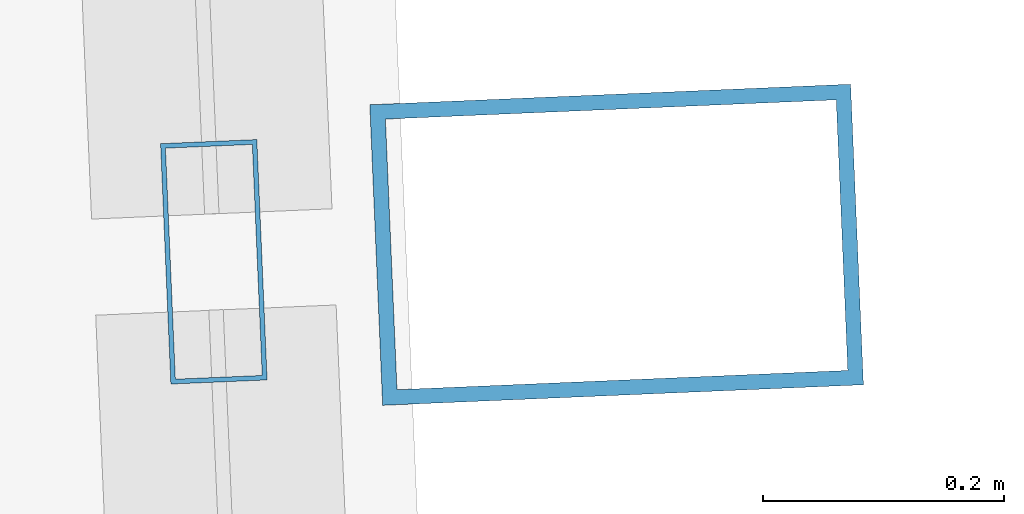
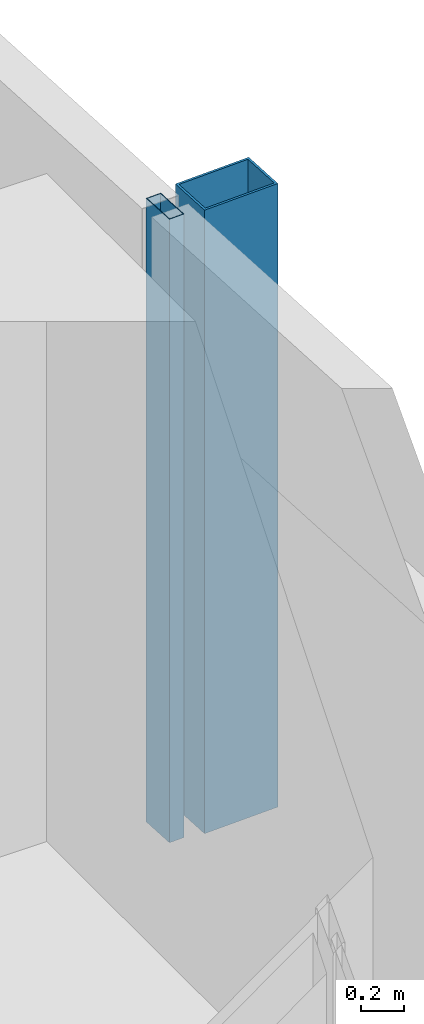
# One storey, part 29 of 45: 2 members, 1 element without a shape of its own.
"""IFC4 building model written with IfcOpenShell, lengths in metres."""

from ifc_helpers import new_model, si_unit, direction, frame, origin, origin_2d, place, context, subcontext, project, spatial, hollow_rectangle, extrude, material, material_profile, profile_set, type_object, element, aggregate, save


model = new_model("IFC4")

# Units and contexts
model_context = context("Model", 3, precision=1e-05, world=origin(), true_north=direction((0.0, 1.0)))
body_context = subcontext(model_context, "Body", "Model", "MODEL_VIEW")
ifc_project = project(units=[si_unit("LENGTHUNIT", "METRE"), si_unit("AREAUNIT", "SQUARE_METRE"), si_unit("VOLUMEUNIT", "CUBIC_METRE"), si_unit("PLANEANGLEUNIT", "RADIAN"), si_unit("MASSUNIT", "GRAM", prefix="KILO")], contexts=[model_context])

# Site, building, storey
site_placement = place(None, origin())
site = spatial("IfcSite", under=ifc_project, at=site_placement, CompositionType="ELEMENT")
building_placement = place(site_placement, origin())
building = spatial("IfcBuilding", under=site, at=building_placement, Name="Rekha Terrace Tower", CompositionType="ELEMENT")
storey_placement = place(building_placement, frame((0.0, 0.0, 77.89990234375)))
storey = spatial("IfcBuildingStorey", under=building, at=storey_placement, Name="L19", CompositionType="ELEMENT", Elevation=77.89990234375)

# Curtain wall, members
ifc_material_1 = material(Name="Aluminium framing", Category="aluminium")
curtain_wall_type = type_object("IfcCurtainWallType", Name="CW2 double skin outer glazing", PredefinedType="USERDEFINED", material=ifc_material_1)
curtain_wall_placement = place(storey_placement, origin())
curtain_wall = element("IfcCurtainWall", 1, at=curtain_wall_placement, inside=storey, type_object=curtain_wall_type, Name="CW2 double skin outer glazing", ObjectType="DOUBLE SKIN OUTER GLAZING", PredefinedType="USERDEFINED")
ifc_material_2 = material(Name="Steel S355 with fluorocarbon finish", Category="steel")
ifc_material_profile_1 = material_profile(ifc_material_2, hollow_rectangle(XDim=0.25, YDim=0.39990234375, WallThickness=0.012451171875, at=origin_2d()), Name="RHS400x250x12.5")
ifc_profile_set_1 = profile_set([ifc_material_profile_1], Name="Steel S355 with fluorocarbon finish")
member_type_1 = type_object("IfcMemberType", Name="BL1 facade blade RHS 400 x 250", PredefinedType="USERDEFINED", material=ifc_profile_set_1)
member_1_placement = place(storey_placement, frame((69.554443359375, 51.724609375, 0.0), z_axis=(0.0, 0.0, 1.0), x_axis=(-0.04269522475, 0.99908814315, 0.0)))
member_1 = element("IfcMember", 2, at=member_1_placement, type_object=member_type_1, Name="Facade blade", ObjectType="FACADE BLADE", PredefinedType="USERDEFINED", context=body_context, shape_type="SweptSolid", body=[
    extrude(hollow_rectangle(XDim=0.25, YDim=0.39990234375, WallThickness=0.012451171875, at=origin_2d()), origin(), (0.0, 0.0, 1.0), 3.5),
])
ifc_material_3 = material(Name="Aluminium mullion section", Category="aluminium")
ifc_material_profile_2 = material_profile(ifc_material_3, hollow_rectangle(XDim=0.080078125, YDim=0.199951171875, WallThickness=0.00390625, at=origin_2d()), Name="AL RHS 80x200")
ifc_profile_set_2 = profile_set([ifc_material_profile_2], Name="Aluminium mullion section")
member_type_2 = type_object("IfcMemberType", Name="CW2 mullion RHS 80 x 200", PredefinedType="MULLION", material=ifc_profile_set_2)
member_2_placement = place(storey_placement, frame((69.2197265625, 51.71044921875, 0.0), z_axis=(0.0, 0.0, 1.0), x_axis=(-0.999088106903, -0.042696072956, 0.0)))
member_2 = element("IfcMember", 3, at=member_2_placement, type_object=member_type_2, Name="CW2 mullion 4", PredefinedType="MULLION", context=body_context, shape_type="SweptSolid", body=[
    extrude(hollow_rectangle(XDim=0.080078125, YDim=0.199951171875, WallThickness=0.00390625, at=origin_2d()), origin(), (0.0, 0.0, 1.0), 3.5),
])
aggregate(curtain_wall, [member_2, member_1])

save(model, "model.ifc")
